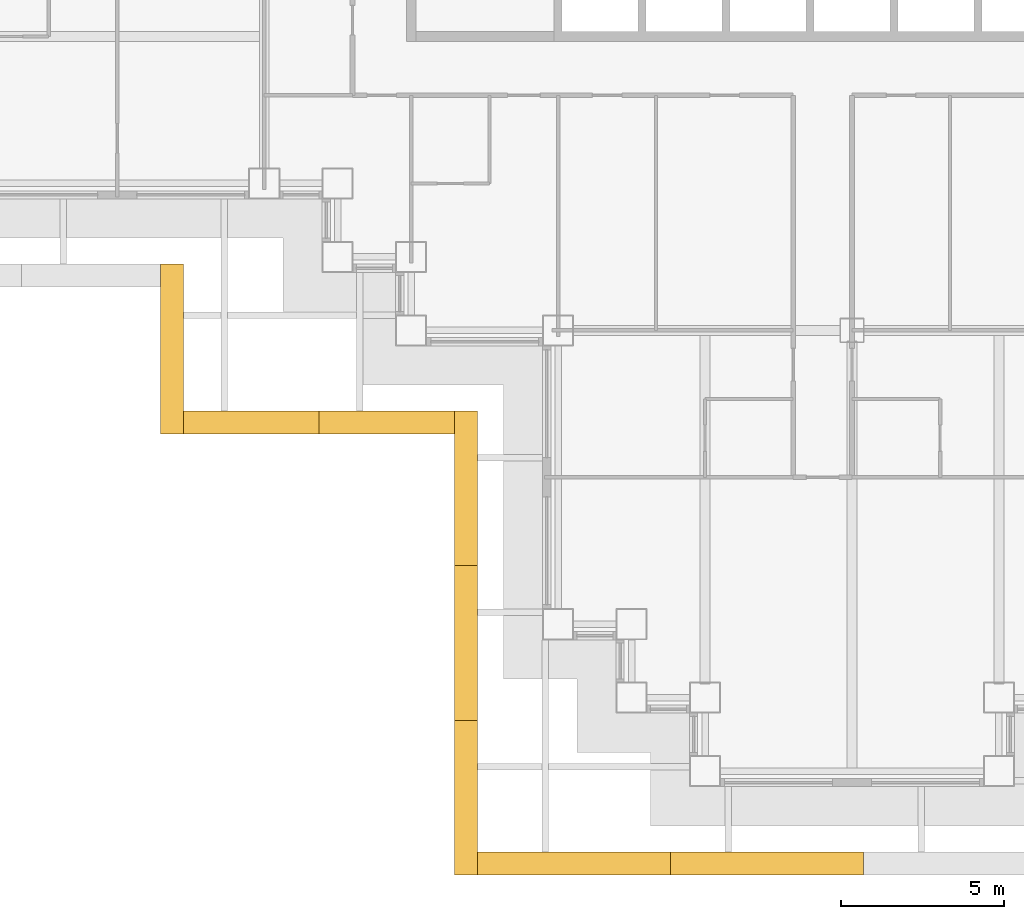
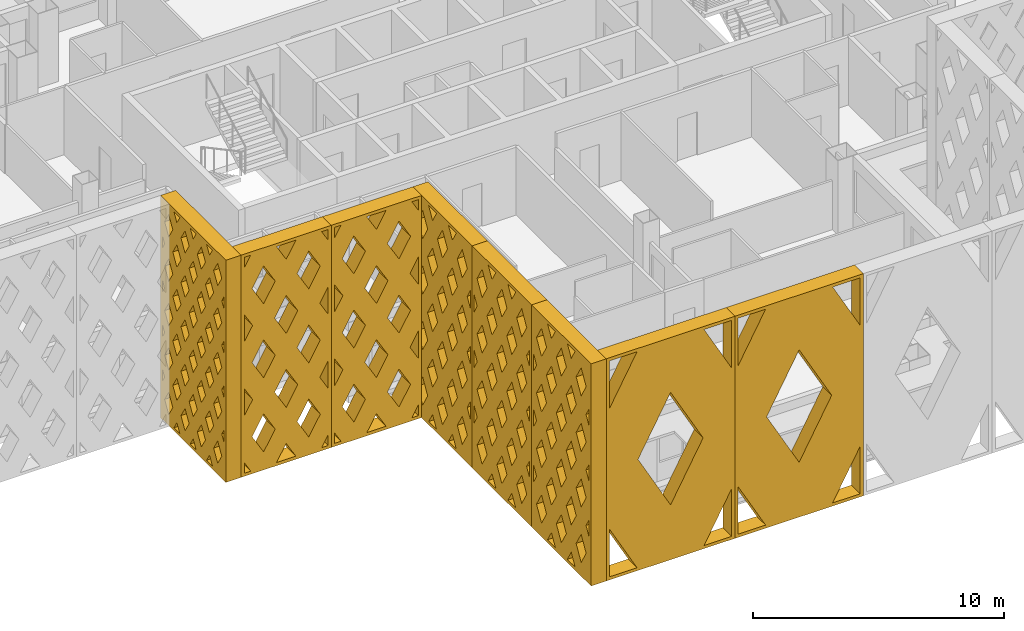
# One storey, part 13 of 19: 8 shading devices.
"""IFC4 building model written with IfcOpenShell, lengths in metres."""

from ifc_helpers import new_model, si_unit, direction, frame, origin, place, context, subcontext, project, spatial, polyline, outline, extrude, material, type_object, element, save


model = new_model("IFC4")

# Units and contexts
model_context = context("Model", 3, precision=1e-05, world=origin(), true_north=direction((0.0, 1.0)))
body_context = subcontext(model_context, "Body", "Model", "MODEL_VIEW")
ifc_project = project(units=[si_unit("LENGTHUNIT", "METRE"), si_unit("AREAUNIT", "SQUARE_METRE"), si_unit("VOLUMEUNIT", "CUBIC_METRE"), si_unit("PLANEANGLEUNIT", "RADIAN"), si_unit("MASSUNIT", "GRAM", prefix="KILO")], contexts=[model_context])

# Site, building, storey
site_placement = place(None, origin())
site = spatial("IfcSite", under=ifc_project, at=site_placement, CompositionType="ELEMENT")
building_placement = place(site_placement, origin())
building = spatial("IfcBuilding", under=site, at=building_placement, Name="Caravel Reach Hotel and Residences", CompositionType="ELEMENT")
storey_placement = place(building_placement, frame((0.0, 0.0, 85.199951171875)))
storey = spatial("IfcBuildingStorey", under=building, at=storey_placement, Name="L20", CompositionType="ELEMENT", Elevation=85.199951171875)

# Shading devices
ifc_material_1 = material(Name="Black powder-coated aluminium", Category="aluminium")
shading_device_type_1 = type_object("IfcShadingDeviceType", Name="Diamond lattice screen panel 4150 x 10800", PredefinedType="USERDEFINED", material=ifc_material_1)
shading_device_1_placement = place(storey_placement, frame((11.02490234375, 11.02490234375, 0.0), z_axis=(0.0, -1.0, 0.0), x_axis=(1.0, 0.0, 0.0)))
element("IfcShadingDevice", 1, at=shading_device_1_placement, inside=storey, type_object=shading_device_type_1, Name="Lattice screen L20-L22 20.1", ObjectType="SCREEN", PredefinedType="USERDEFINED", context=body_context, shape_type="SweptSolid", body=[
    extrude(outline(polyline([(0.0, 0.0), (4.14990234375, 0.0), (4.14990234375, 10.800048828125), (0.0, 10.800048828125), (0.0, 0.0)]), holes=[polyline([(0.445556640625, 0.14990234375), (0.14990234375, 0.662841796875), (0.14990234375, 0.14990234375), (0.445556640625, 0.14990234375)]), polyline([(0.531982421875, 3.60009765625), (0.14990234375, 4.2626953125), (0.14990234375, 2.937255859375), (0.531982421875, 3.60009765625)]), polyline([(0.531982421875, 7.199951171875), (0.14990234375, 7.86279296875), (0.14990234375, 6.537353515625), (0.531982421875, 7.199951171875)]), polyline([(0.14990234375, 10.13720703125), (0.445556640625, 10.64990234375), (0.14990234375, 10.64990234375), (0.14990234375, 10.13720703125)]), polyline([(1.03759765625, 2.722900390625), (0.505615234375, 1.800048828125), (1.03759765625, 0.876953125), (1.569580078125, 1.800048828125), (1.03759765625, 2.722900390625)]), polyline([(1.03759765625, 6.322998046875), (0.505615234375, 5.39990234375), (1.03759765625, 4.47705078125), (1.569580078125, 5.39990234375), (1.03759765625, 6.322998046875)]), polyline([(1.03759765625, 9.9228515625), (0.505615234375, 9.0), (1.03759765625, 8.0771484375), (1.569580078125, 9.0), (1.03759765625, 9.9228515625)]), polyline([(2.074951171875, 0.9228515625), (1.62939453125, 0.14990234375), (2.5205078125, 0.14990234375), (2.074951171875, 0.9228515625)]), polyline([(2.074951171875, 4.52294921875), (1.54296875, 3.60009765625), (2.074951171875, 2.677001953125), (2.60693359375, 3.60009765625), (2.074951171875, 4.52294921875)]), polyline([(2.074951171875, 8.123046875), (1.54296875, 7.199951171875), (2.074951171875, 6.277099609375), (2.60693359375, 7.199951171875), (2.074951171875, 8.123046875)]), polyline([(2.074951171875, 9.876953125), (2.5205078125, 10.64990234375), (1.62939453125, 10.64990234375), (2.074951171875, 9.876953125)]), polyline([(3.112548828125, 2.722900390625), (2.58056640625, 1.800048828125), (3.112548828125, 0.876953125), (3.64453125, 1.800048828125), (3.112548828125, 2.722900390625)]), polyline([(3.112548828125, 6.322998046875), (2.58056640625, 5.39990234375), (3.112548828125, 4.47705078125), (3.64453125, 5.39990234375), (3.112548828125, 6.322998046875)]), polyline([(3.112548828125, 9.9228515625), (2.58056640625, 9.0), (3.112548828125, 8.0771484375), (3.64453125, 9.0), (3.112548828125, 9.9228515625)]), polyline([(4.0, 0.662841796875), (3.70458984375, 0.14990234375), (4.0, 0.14990234375), (4.0, 0.662841796875)]), polyline([(3.617919921875, 3.60009765625), (4.0, 2.937255859375), (4.0, 4.2626953125), (3.617919921875, 3.60009765625)]), polyline([(3.617919921875, 7.199951171875), (4.0, 6.537353515625), (4.0, 7.86279296875), (3.617919921875, 7.199951171875)]), polyline([(3.70458984375, 10.64990234375), (4.0, 10.13720703125), (4.0, 10.64990234375), (3.70458984375, 10.64990234375)])]), origin(), (0.0, 0.0, 1.0), 0.699951171875),
])
shading_device_2_placement = place(storey_placement, frame((15.175048828125, 11.02490234375, 0.0), z_axis=(0.0, -1.0, 0.0), x_axis=(1.0, 0.0, 0.0)))
element("IfcShadingDevice", 2, at=shading_device_2_placement, inside=storey, type_object=shading_device_type_1, Name="Lattice screen L20-L22 20.2", ObjectType="SCREEN", PredefinedType="USERDEFINED", context=body_context, shape_type="SweptSolid", body=[
    extrude(outline(polyline([(0.0, 0.0), (4.14990234375, 0.0), (4.14990234375, 10.800048828125), (0.0, 10.800048828125), (0.0, 0.0)]), holes=[polyline([(0.445556640625, 0.14990234375), (0.14990234375, 0.662841796875), (0.14990234375, 0.14990234375), (0.445556640625, 0.14990234375)]), polyline([(0.531982421875, 3.60009765625), (0.14990234375, 4.2626953125), (0.14990234375, 2.937255859375), (0.531982421875, 3.60009765625)]), polyline([(0.531982421875, 7.199951171875), (0.14990234375, 7.86279296875), (0.14990234375, 6.537353515625), (0.531982421875, 7.199951171875)]), polyline([(0.14990234375, 10.13720703125), (0.445556640625, 10.64990234375), (0.14990234375, 10.64990234375), (0.14990234375, 10.13720703125)]), polyline([(1.03759765625, 2.722900390625), (0.505615234375, 1.800048828125), (1.03759765625, 0.876953125), (1.569580078125, 1.800048828125), (1.03759765625, 2.722900390625)]), polyline([(1.03759765625, 6.322998046875), (0.505615234375, 5.39990234375), (1.03759765625, 4.47705078125), (1.569580078125, 5.39990234375), (1.03759765625, 6.322998046875)]), polyline([(1.03759765625, 9.9228515625), (0.505615234375, 9.0), (1.03759765625, 8.0771484375), (1.569580078125, 9.0), (1.03759765625, 9.9228515625)]), polyline([(2.074951171875, 0.9228515625), (1.62939453125, 0.14990234375), (2.5205078125, 0.14990234375), (2.074951171875, 0.9228515625)]), polyline([(2.074951171875, 4.52294921875), (1.54296875, 3.60009765625), (2.074951171875, 2.677001953125), (2.60693359375, 3.60009765625), (2.074951171875, 4.52294921875)]), polyline([(2.074951171875, 8.123046875), (1.54296875, 7.199951171875), (2.074951171875, 6.277099609375), (2.60693359375, 7.199951171875), (2.074951171875, 8.123046875)]), polyline([(2.074951171875, 9.876953125), (2.5205078125, 10.64990234375), (1.62939453125, 10.64990234375), (2.074951171875, 9.876953125)]), polyline([(3.112548828125, 2.722900390625), (2.58056640625, 1.800048828125), (3.112548828125, 0.876953125), (3.64453125, 1.800048828125), (3.112548828125, 2.722900390625)]), polyline([(3.112548828125, 6.322998046875), (2.58056640625, 5.39990234375), (3.112548828125, 4.47705078125), (3.64453125, 5.39990234375), (3.112548828125, 6.322998046875)]), polyline([(3.112548828125, 9.9228515625), (2.58056640625, 9.0), (3.112548828125, 8.0771484375), (3.64453125, 9.0), (3.112548828125, 9.9228515625)]), polyline([(4.0, 0.662841796875), (3.70458984375, 0.14990234375), (4.0, 0.14990234375), (4.0, 0.662841796875)]), polyline([(3.617919921875, 3.60009765625), (4.0, 2.937255859375), (4.0, 4.2626953125), (3.617919921875, 3.60009765625)]), polyline([(3.617919921875, 7.199951171875), (4.0, 6.537353515625), (4.0, 7.86279296875), (3.617919921875, 7.199951171875)]), polyline([(3.70458984375, 10.64990234375), (4.0, 10.13720703125), (4.0, 10.64990234375), (3.70458984375, 10.64990234375)])]), origin(), (0.0, 0.0, 1.0), 0.699951171875),
])
ifc_material_2 = material(Name="Black powder-coated aluminium", Category="aluminium")
shading_device_type_2 = type_object("IfcShadingDeviceType", Name="Diamond lattice screen panel 4733 x 10800", PredefinedType="USERDEFINED", material=ifc_material_2)
shading_device_3_placement = place(storey_placement, frame((20.02490234375, 11.02490234375, 0.0), z_axis=(-1.0, 0.0, 0.0), x_axis=(0.0, -1.0, 0.0)))
element("IfcShadingDevice", 3, at=shading_device_3_placement, inside=storey, type_object=shading_device_type_2, Name="Lattice screen L20-L22 1.1", ObjectType="SCREEN", PredefinedType="USERDEFINED", context=body_context, shape_type="SweptSolid", body=[
    extrude(outline(polyline([(0.0, 0.0), (4.7333984375, 0.0), (4.7333984375, 10.800048828125), (0.0, 10.800048828125), (0.0, 0.0)]), holes=[polyline([(0.4013671875, 2.699951171875), (0.14990234375, 3.130126953125), (0.14990234375, 2.269775390625), (0.4013671875, 2.699951171875)]), polyline([(0.4013671875, 5.39990234375), (0.14990234375, 5.830078125), (0.14990234375, 4.969970703125), (0.4013671875, 5.39990234375)]), polyline([(0.4013671875, 8.10009765625), (0.14990234375, 8.530029296875), (0.14990234375, 7.669921875), (0.4013671875, 8.10009765625)]), polyline([(0.788818359375, 2.036865234375), (0.387451171875, 1.35009765625), (0.788818359375, 0.6630859375), (1.190185546875, 1.35009765625), (0.788818359375, 2.036865234375)]), polyline([(0.788818359375, 4.73681640625), (0.387451171875, 4.050048828125), (0.788818359375, 3.36328125), (1.190185546875, 4.050048828125), (0.788818359375, 4.73681640625)]), polyline([(0.788818359375, 7.436767578125), (0.387451171875, 6.75), (0.788818359375, 6.063232421875), (1.190185546875, 6.75), (0.788818359375, 7.436767578125)]), polyline([(0.788818359375, 10.13671875), (0.387451171875, 9.449951171875), (0.788818359375, 8.76318359375), (1.190185546875, 9.449951171875), (0.788818359375, 10.13671875)]), polyline([(1.577880859375, 0.686767578125), (1.26416015625, 0.14990234375), (1.8916015625, 0.14990234375), (1.577880859375, 0.686767578125)]), polyline([(1.577880859375, 3.38671875), (1.176513671875, 2.699951171875), (1.577880859375, 2.01318359375), (1.979248046875, 2.699951171875), (1.577880859375, 3.38671875)]), polyline([(1.577880859375, 6.0869140625), (1.176513671875, 5.39990234375), (1.577880859375, 4.713134765625), (1.979248046875, 5.39990234375), (1.577880859375, 6.0869140625)]), polyline([(1.577880859375, 8.786865234375), (1.176513671875, 8.10009765625), (1.577880859375, 7.4130859375), (1.979248046875, 8.10009765625), (1.577880859375, 8.786865234375)]), polyline([(1.577880859375, 10.11328125), (1.8916015625, 10.64990234375), (1.26416015625, 10.64990234375), (1.577880859375, 10.11328125)]), polyline([(2.36669921875, 2.036865234375), (1.96533203125, 1.35009765625), (2.36669921875, 0.6630859375), (2.76806640625, 1.35009765625), (2.36669921875, 2.036865234375)]), polyline([(2.36669921875, 4.73681640625), (1.96533203125, 4.050048828125), (2.36669921875, 3.36328125), (2.76806640625, 4.050048828125), (2.36669921875, 4.73681640625)]), polyline([(2.36669921875, 7.436767578125), (1.96533203125, 6.75), (2.36669921875, 6.063232421875), (2.76806640625, 6.75), (2.36669921875, 7.436767578125)]), polyline([(2.36669921875, 10.13671875), (1.96533203125, 9.449951171875), (2.36669921875, 8.76318359375), (2.76806640625, 9.449951171875), (2.36669921875, 10.13671875)]), polyline([(3.155517578125, 0.686767578125), (2.841796875, 0.14990234375), (3.46923828125, 0.14990234375), (3.155517578125, 0.686767578125)]), polyline([(3.155517578125, 3.38671875), (2.754150390625, 2.699951171875), (3.155517578125, 2.01318359375), (3.556884765625, 2.699951171875), (3.155517578125, 3.38671875)]), polyline([(3.155517578125, 6.0869140625), (2.754150390625, 5.39990234375), (3.155517578125, 4.713134765625), (3.556884765625, 5.39990234375), (3.155517578125, 6.0869140625)]), polyline([(3.155517578125, 8.786865234375), (2.754150390625, 8.10009765625), (3.155517578125, 7.4130859375), (3.556884765625, 8.10009765625), (3.155517578125, 8.786865234375)]), polyline([(3.155517578125, 10.11328125), (3.46923828125, 10.64990234375), (2.841796875, 10.64990234375), (3.155517578125, 10.11328125)]), polyline([(3.9443359375, 2.036865234375), (3.54296875, 1.35009765625), (3.9443359375, 0.6630859375), (4.345703125, 1.35009765625), (3.9443359375, 2.036865234375)]), polyline([(3.9443359375, 4.73681640625), (3.54296875, 4.050048828125), (3.9443359375, 3.36328125), (4.345703125, 4.050048828125), (3.9443359375, 4.73681640625)]), polyline([(3.9443359375, 7.436767578125), (3.54296875, 6.75), (3.9443359375, 6.063232421875), (4.345703125, 6.75), (3.9443359375, 7.436767578125)]), polyline([(3.9443359375, 10.13671875), (3.54296875, 9.449951171875), (3.9443359375, 8.76318359375), (4.345703125, 9.449951171875), (3.9443359375, 10.13671875)]), polyline([(4.33203125, 2.699951171875), (4.583251953125, 2.269775390625), (4.583251953125, 3.130126953125), (4.33203125, 2.699951171875)]), polyline([(4.33203125, 5.39990234375), (4.583251953125, 4.969970703125), (4.583251953125, 5.830078125), (4.33203125, 5.39990234375)]), polyline([(4.33203125, 8.10009765625), (4.583251953125, 7.669921875), (4.583251953125, 8.530029296875), (4.33203125, 8.10009765625)])]), origin(), (0.0, 0.0, 1.0), 0.699951171875),
])
shading_device_4_placement = place(storey_placement, frame((20.02490234375, 6.291748046875, 0.0), z_axis=(-1.0, 0.0, 0.0), x_axis=(0.0, -1.0, 0.0)))
element("IfcShadingDevice", 4, at=shading_device_4_placement, inside=storey, type_object=shading_device_type_2, Name="Lattice screen L20-L22 1.2", ObjectType="SCREEN", PredefinedType="USERDEFINED", context=body_context, shape_type="SweptSolid", body=[
    extrude(outline(polyline([(0.0, 0.0), (4.7333984375, 0.0), (4.7333984375, 10.800048828125), (0.0, 10.800048828125), (0.0, 0.0)]), holes=[polyline([(0.4013671875, 2.699951171875), (0.14990234375, 3.130126953125), (0.14990234375, 2.269775390625), (0.4013671875, 2.699951171875)]), polyline([(0.4013671875, 5.39990234375), (0.14990234375, 5.830078125), (0.14990234375, 4.969970703125), (0.4013671875, 5.39990234375)]), polyline([(0.4013671875, 8.10009765625), (0.14990234375, 8.530029296875), (0.14990234375, 7.669921875), (0.4013671875, 8.10009765625)]), polyline([(0.788818359375, 2.036865234375), (0.387451171875, 1.35009765625), (0.788818359375, 0.6630859375), (1.190185546875, 1.35009765625), (0.788818359375, 2.036865234375)]), polyline([(0.788818359375, 4.73681640625), (0.387451171875, 4.050048828125), (0.788818359375, 3.36328125), (1.190185546875, 4.050048828125), (0.788818359375, 4.73681640625)]), polyline([(0.788818359375, 7.436767578125), (0.387451171875, 6.75), (0.788818359375, 6.063232421875), (1.190185546875, 6.75), (0.788818359375, 7.436767578125)]), polyline([(0.788818359375, 10.13671875), (0.387451171875, 9.449951171875), (0.788818359375, 8.76318359375), (1.190185546875, 9.449951171875), (0.788818359375, 10.13671875)]), polyline([(1.577880859375, 0.686767578125), (1.26416015625, 0.14990234375), (1.8916015625, 0.14990234375), (1.577880859375, 0.686767578125)]), polyline([(1.577880859375, 3.38671875), (1.176513671875, 2.699951171875), (1.577880859375, 2.01318359375), (1.979248046875, 2.699951171875), (1.577880859375, 3.38671875)]), polyline([(1.577880859375, 6.0869140625), (1.176513671875, 5.39990234375), (1.577880859375, 4.713134765625), (1.979248046875, 5.39990234375), (1.577880859375, 6.0869140625)]), polyline([(1.577880859375, 8.786865234375), (1.176513671875, 8.10009765625), (1.577880859375, 7.4130859375), (1.979248046875, 8.10009765625), (1.577880859375, 8.786865234375)]), polyline([(1.577880859375, 10.11328125), (1.8916015625, 10.64990234375), (1.26416015625, 10.64990234375), (1.577880859375, 10.11328125)]), polyline([(2.36669921875, 2.036865234375), (1.96533203125, 1.35009765625), (2.36669921875, 0.6630859375), (2.76806640625, 1.35009765625), (2.36669921875, 2.036865234375)]), polyline([(2.36669921875, 4.73681640625), (1.96533203125, 4.050048828125), (2.36669921875, 3.36328125), (2.76806640625, 4.050048828125), (2.36669921875, 4.73681640625)]), polyline([(2.36669921875, 7.436767578125), (1.96533203125, 6.75), (2.36669921875, 6.063232421875), (2.76806640625, 6.75), (2.36669921875, 7.436767578125)]), polyline([(2.36669921875, 10.13671875), (1.96533203125, 9.449951171875), (2.36669921875, 8.76318359375), (2.76806640625, 9.449951171875), (2.36669921875, 10.13671875)]), polyline([(3.155517578125, 0.686767578125), (2.841796875, 0.14990234375), (3.46923828125, 0.14990234375), (3.155517578125, 0.686767578125)]), polyline([(3.155517578125, 3.38671875), (2.754150390625, 2.699951171875), (3.155517578125, 2.01318359375), (3.556884765625, 2.699951171875), (3.155517578125, 3.38671875)]), polyline([(3.155517578125, 6.0869140625), (2.754150390625, 5.39990234375), (3.155517578125, 4.713134765625), (3.556884765625, 5.39990234375), (3.155517578125, 6.0869140625)]), polyline([(3.155517578125, 8.786865234375), (2.754150390625, 8.10009765625), (3.155517578125, 7.4130859375), (3.556884765625, 8.10009765625), (3.155517578125, 8.786865234375)]), polyline([(3.155517578125, 10.11328125), (3.46923828125, 10.64990234375), (2.841796875, 10.64990234375), (3.155517578125, 10.11328125)]), polyline([(3.9443359375, 2.036865234375), (3.54296875, 1.35009765625), (3.9443359375, 0.6630859375), (4.345703125, 1.35009765625), (3.9443359375, 2.036865234375)]), polyline([(3.9443359375, 4.73681640625), (3.54296875, 4.050048828125), (3.9443359375, 3.36328125), (4.345703125, 4.050048828125), (3.9443359375, 4.73681640625)]), polyline([(3.9443359375, 7.436767578125), (3.54296875, 6.75), (3.9443359375, 6.063232421875), (4.345703125, 6.75), (3.9443359375, 7.436767578125)]), polyline([(3.9443359375, 10.13671875), (3.54296875, 9.449951171875), (3.9443359375, 8.76318359375), (4.345703125, 9.449951171875), (3.9443359375, 10.13671875)]), polyline([(4.33203125, 2.699951171875), (4.583251953125, 2.269775390625), (4.583251953125, 3.130126953125), (4.33203125, 2.699951171875)]), polyline([(4.33203125, 5.39990234375), (4.583251953125, 4.969970703125), (4.583251953125, 5.830078125), (4.33203125, 5.39990234375)]), polyline([(4.33203125, 8.10009765625), (4.583251953125, 7.669921875), (4.583251953125, 8.530029296875), (4.33203125, 8.10009765625)])]), origin(), (0.0, 0.0, 1.0), 0.699951171875),
])
shading_device_5_placement = place(storey_placement, frame((20.02490234375, 1.558349609375, 0.0), z_axis=(-1.0, 0.0, 0.0), x_axis=(0.0, -1.0, 0.0)))
element("IfcShadingDevice", 5, at=shading_device_5_placement, inside=storey, type_object=shading_device_type_2, Name="Lattice screen L20-L22 1.3", ObjectType="SCREEN", PredefinedType="USERDEFINED", context=body_context, shape_type="SweptSolid", body=[
    extrude(outline(polyline([(0.0, 0.0), (4.7333984375, 0.0), (4.7333984375, 10.800048828125), (0.0, 10.800048828125), (0.0, 0.0)]), holes=[polyline([(0.4013671875, 2.699951171875), (0.14990234375, 3.130126953125), (0.14990234375, 2.269775390625), (0.4013671875, 2.699951171875)]), polyline([(0.4013671875, 5.39990234375), (0.14990234375, 5.830078125), (0.14990234375, 4.969970703125), (0.4013671875, 5.39990234375)]), polyline([(0.4013671875, 8.10009765625), (0.14990234375, 8.530029296875), (0.14990234375, 7.669921875), (0.4013671875, 8.10009765625)]), polyline([(0.788818359375, 2.036865234375), (0.387451171875, 1.35009765625), (0.788818359375, 0.6630859375), (1.190185546875, 1.35009765625), (0.788818359375, 2.036865234375)]), polyline([(0.788818359375, 4.73681640625), (0.387451171875, 4.050048828125), (0.788818359375, 3.36328125), (1.190185546875, 4.050048828125), (0.788818359375, 4.73681640625)]), polyline([(0.788818359375, 7.436767578125), (0.387451171875, 6.75), (0.788818359375, 6.063232421875), (1.190185546875, 6.75), (0.788818359375, 7.436767578125)]), polyline([(0.788818359375, 10.13671875), (0.387451171875, 9.449951171875), (0.788818359375, 8.76318359375), (1.190185546875, 9.449951171875), (0.788818359375, 10.13671875)]), polyline([(1.577880859375, 0.686767578125), (1.26416015625, 0.14990234375), (1.8916015625, 0.14990234375), (1.577880859375, 0.686767578125)]), polyline([(1.577880859375, 3.38671875), (1.176513671875, 2.699951171875), (1.577880859375, 2.01318359375), (1.979248046875, 2.699951171875), (1.577880859375, 3.38671875)]), polyline([(1.577880859375, 6.0869140625), (1.176513671875, 5.39990234375), (1.577880859375, 4.713134765625), (1.979248046875, 5.39990234375), (1.577880859375, 6.0869140625)]), polyline([(1.577880859375, 8.786865234375), (1.176513671875, 8.10009765625), (1.577880859375, 7.4130859375), (1.979248046875, 8.10009765625), (1.577880859375, 8.786865234375)]), polyline([(1.577880859375, 10.11328125), (1.8916015625, 10.64990234375), (1.26416015625, 10.64990234375), (1.577880859375, 10.11328125)]), polyline([(2.36669921875, 2.036865234375), (1.96533203125, 1.35009765625), (2.36669921875, 0.6630859375), (2.76806640625, 1.35009765625), (2.36669921875, 2.036865234375)]), polyline([(2.36669921875, 4.73681640625), (1.96533203125, 4.050048828125), (2.36669921875, 3.36328125), (2.76806640625, 4.050048828125), (2.36669921875, 4.73681640625)]), polyline([(2.36669921875, 7.436767578125), (1.96533203125, 6.75), (2.36669921875, 6.063232421875), (2.76806640625, 6.75), (2.36669921875, 7.436767578125)]), polyline([(2.36669921875, 10.13671875), (1.96533203125, 9.449951171875), (2.36669921875, 8.76318359375), (2.76806640625, 9.449951171875), (2.36669921875, 10.13671875)]), polyline([(3.155517578125, 0.686767578125), (2.841796875, 0.14990234375), (3.46923828125, 0.14990234375), (3.155517578125, 0.686767578125)]), polyline([(3.155517578125, 3.38671875), (2.754150390625, 2.699951171875), (3.155517578125, 2.01318359375), (3.556884765625, 2.699951171875), (3.155517578125, 3.38671875)]), polyline([(3.155517578125, 6.0869140625), (2.754150390625, 5.39990234375), (3.155517578125, 4.713134765625), (3.556884765625, 5.39990234375), (3.155517578125, 6.0869140625)]), polyline([(3.155517578125, 8.786865234375), (2.754150390625, 8.10009765625), (3.155517578125, 7.4130859375), (3.556884765625, 8.10009765625), (3.155517578125, 8.786865234375)]), polyline([(3.155517578125, 10.11328125), (3.46923828125, 10.64990234375), (2.841796875, 10.64990234375), (3.155517578125, 10.11328125)]), polyline([(3.9443359375, 2.036865234375), (3.54296875, 1.35009765625), (3.9443359375, 0.6630859375), (4.345703125, 1.35009765625), (3.9443359375, 2.036865234375)]), polyline([(3.9443359375, 4.73681640625), (3.54296875, 4.050048828125), (3.9443359375, 3.36328125), (4.345703125, 4.050048828125), (3.9443359375, 4.73681640625)]), polyline([(3.9443359375, 7.436767578125), (3.54296875, 6.75), (3.9443359375, 6.063232421875), (4.345703125, 6.75), (3.9443359375, 7.436767578125)]), polyline([(3.9443359375, 10.13671875), (3.54296875, 9.449951171875), (3.9443359375, 8.76318359375), (4.345703125, 9.449951171875), (3.9443359375, 10.13671875)]), polyline([(4.33203125, 2.699951171875), (4.583251953125, 2.269775390625), (4.583251953125, 3.130126953125), (4.33203125, 2.699951171875)]), polyline([(4.33203125, 5.39990234375), (4.583251953125, 4.969970703125), (4.583251953125, 5.830078125), (4.33203125, 5.39990234375)]), polyline([(4.33203125, 8.10009765625), (4.583251953125, 7.669921875), (4.583251953125, 8.530029296875), (4.33203125, 8.10009765625)])]), origin(), (0.0, 0.0, 1.0), 0.699951171875),
])
ifc_material_3 = material(Name="Black powder-coated aluminium", Category="aluminium")
shading_device_type_3 = type_object("IfcShadingDeviceType", Name="Diamond lattice screen panel 5200 x 10800", PredefinedType="USERDEFINED", material=ifc_material_3)
shading_device_6_placement = place(storey_placement, frame((11.02490234375, 15.52490234375, 0.0), z_axis=(-1.0, 0.0, 0.0), x_axis=(0.0, -1.0, 0.0)))
element("IfcShadingDevice", 6, at=shading_device_6_placement, inside=storey, type_object=shading_device_type_3, Name="Lattice screen L20-L22 19.1", ObjectType="SCREEN", PredefinedType="USERDEFINED", context=body_context, shape_type="SweptSolid", body=[
    extrude(outline(polyline([(0.0, 0.0), (5.199951171875, 0.0), (5.199951171875, 10.800048828125), (0.0, 10.800048828125), (0.0, 0.0)]), holes=[polyline([(0.3271484375, 2.159912109375), (0.14990234375, 2.454345703125), (0.14990234375, 1.86572265625), (0.3271484375, 2.159912109375)]), polyline([(0.3271484375, 4.320068359375), (0.14990234375, 4.6142578125), (0.14990234375, 4.025634765625), (0.3271484375, 4.320068359375)]), polyline([(0.3271484375, 6.47998046875), (0.14990234375, 6.774169921875), (0.14990234375, 6.185791015625), (0.3271484375, 6.47998046875)]), polyline([(0.3271484375, 8.639892578125), (0.14990234375, 8.934326171875), (0.14990234375, 8.345703125), (0.3271484375, 8.639892578125)]), polyline([(0.64990234375, 1.62353515625), (0.322998046875, 1.080078125), (0.64990234375, 0.536376953125), (0.97705078125, 1.080078125), (0.64990234375, 1.62353515625)]), polyline([(0.64990234375, 3.783447265625), (0.322998046875, 3.239990234375), (0.64990234375, 2.696533203125), (0.97705078125, 3.239990234375), (0.64990234375, 3.783447265625)]), polyline([(0.64990234375, 5.943603515625), (0.322998046875, 5.39990234375), (0.64990234375, 4.8564453125), (0.97705078125, 5.39990234375), (0.64990234375, 5.943603515625)]), polyline([(0.64990234375, 8.103515625), (0.322998046875, 7.56005859375), (0.64990234375, 7.016357421875), (0.97705078125, 7.56005859375), (0.64990234375, 8.103515625)]), polyline([(0.64990234375, 10.263427734375), (0.322998046875, 9.719970703125), (0.64990234375, 9.176513671875), (0.97705078125, 9.719970703125), (0.64990234375, 10.263427734375)]), polyline([(1.300048828125, 0.54345703125), (1.063232421875, 0.14990234375), (1.536865234375, 0.14990234375), (1.300048828125, 0.54345703125)]), polyline([(1.300048828125, 2.70361328125), (0.972900390625, 2.159912109375), (1.300048828125, 1.616455078125), (1.627197265625, 2.159912109375), (1.300048828125, 2.70361328125)]), polyline([(1.300048828125, 4.863525390625), (0.972900390625, 4.320068359375), (1.300048828125, 3.7763671875), (1.627197265625, 4.320068359375), (1.300048828125, 4.863525390625)]), polyline([(1.300048828125, 7.0234375), (0.972900390625, 6.47998046875), (1.300048828125, 5.9365234375), (1.627197265625, 6.47998046875), (1.300048828125, 7.0234375)]), polyline([(1.300048828125, 9.18359375), (0.972900390625, 8.639892578125), (1.300048828125, 8.096435546875), (1.627197265625, 8.639892578125), (1.300048828125, 9.18359375)]), polyline([(1.300048828125, 10.256591796875), (1.536865234375, 10.64990234375), (1.063232421875, 10.64990234375), (1.300048828125, 10.256591796875)]), polyline([(1.949951171875, 1.62353515625), (1.622802734375, 1.080078125), (1.949951171875, 0.536376953125), (2.277099609375, 1.080078125), (1.949951171875, 1.62353515625)]), polyline([(1.949951171875, 3.783447265625), (1.622802734375, 3.239990234375), (1.949951171875, 2.696533203125), (2.277099609375, 3.239990234375), (1.949951171875, 3.783447265625)]), polyline([(1.949951171875, 5.943603515625), (1.622802734375, 5.39990234375), (1.949951171875, 4.8564453125), (2.277099609375, 5.39990234375), (1.949951171875, 5.943603515625)]), polyline([(1.949951171875, 8.103515625), (1.622802734375, 7.56005859375), (1.949951171875, 7.016357421875), (2.277099609375, 7.56005859375), (1.949951171875, 8.103515625)]), polyline([(1.949951171875, 10.263427734375), (1.622802734375, 9.719970703125), (1.949951171875, 9.176513671875), (2.277099609375, 9.719970703125), (1.949951171875, 10.263427734375)]), polyline([(2.60009765625, 0.54345703125), (2.363037109375, 0.14990234375), (2.8369140625, 0.14990234375), (2.60009765625, 0.54345703125)]), polyline([(2.60009765625, 2.70361328125), (2.27294921875, 2.159912109375), (2.60009765625, 1.616455078125), (2.927001953125, 2.159912109375), (2.60009765625, 2.70361328125)]), polyline([(2.60009765625, 4.863525390625), (2.27294921875, 4.320068359375), (2.60009765625, 3.7763671875), (2.927001953125, 4.320068359375), (2.60009765625, 4.863525390625)]), polyline([(2.60009765625, 7.0234375), (2.27294921875, 6.47998046875), (2.60009765625, 5.9365234375), (2.927001953125, 6.47998046875), (2.60009765625, 7.0234375)]), polyline([(2.60009765625, 9.18359375), (2.27294921875, 8.639892578125), (2.60009765625, 8.096435546875), (2.927001953125, 8.639892578125), (2.60009765625, 9.18359375)]), polyline([(2.60009765625, 10.256591796875), (2.8369140625, 10.64990234375), (2.363037109375, 10.64990234375), (2.60009765625, 10.256591796875)]), polyline([(3.25, 1.62353515625), (2.9228515625, 1.080078125), (3.25, 0.536376953125), (3.5771484375, 1.080078125), (3.25, 1.62353515625)]), polyline([(3.25, 3.783447265625), (2.9228515625, 3.239990234375), (3.25, 2.696533203125), (3.5771484375, 3.239990234375), (3.25, 3.783447265625)]), polyline([(3.25, 5.943603515625), (2.9228515625, 5.39990234375), (3.25, 4.8564453125), (3.5771484375, 5.39990234375), (3.25, 5.943603515625)]), polyline([(3.25, 8.103515625), (2.9228515625, 7.56005859375), (3.25, 7.016357421875), (3.5771484375, 7.56005859375), (3.25, 8.103515625)]), polyline([(3.25, 10.263427734375), (2.9228515625, 9.719970703125), (3.25, 9.176513671875), (3.5771484375, 9.719970703125), (3.25, 10.263427734375)]), polyline([(3.89990234375, 0.54345703125), (3.6630859375, 0.14990234375), (4.136962890625, 0.14990234375), (3.89990234375, 0.54345703125)]), polyline([(3.89990234375, 2.70361328125), (3.572998046875, 2.159912109375), (3.89990234375, 1.616455078125), (4.22705078125, 2.159912109375), (3.89990234375, 2.70361328125)]), polyline([(3.89990234375, 4.863525390625), (3.572998046875, 4.320068359375), (3.89990234375, 3.7763671875), (4.22705078125, 4.320068359375), (3.89990234375, 4.863525390625)]), polyline([(3.89990234375, 7.0234375), (3.572998046875, 6.47998046875), (3.89990234375, 5.9365234375), (4.22705078125, 6.47998046875), (3.89990234375, 7.0234375)]), polyline([(3.89990234375, 9.18359375), (3.572998046875, 8.639892578125), (3.89990234375, 8.096435546875), (4.22705078125, 8.639892578125), (3.89990234375, 9.18359375)]), polyline([(3.89990234375, 10.256591796875), (4.136962890625, 10.64990234375), (3.6630859375, 10.64990234375), (3.89990234375, 10.256591796875)]), polyline([(4.550048828125, 1.62353515625), (4.222900390625, 1.080078125), (4.550048828125, 0.536376953125), (4.877197265625, 1.080078125), (4.550048828125, 1.62353515625)]), polyline([(4.550048828125, 3.783447265625), (4.222900390625, 3.239990234375), (4.550048828125, 2.696533203125), (4.877197265625, 3.239990234375), (4.550048828125, 3.783447265625)]), polyline([(4.550048828125, 5.943603515625), (4.222900390625, 5.39990234375), (4.550048828125, 4.8564453125), (4.877197265625, 5.39990234375), (4.550048828125, 5.943603515625)]), polyline([(4.550048828125, 8.103515625), (4.222900390625, 7.56005859375), (4.550048828125, 7.016357421875), (4.877197265625, 7.56005859375), (4.550048828125, 8.103515625)]), polyline([(4.550048828125, 10.263427734375), (4.222900390625, 9.719970703125), (4.550048828125, 9.176513671875), (4.877197265625, 9.719970703125), (4.550048828125, 10.263427734375)]), polyline([(4.872802734375, 2.159912109375), (5.050048828125, 1.86572265625), (5.050048828125, 2.454345703125), (4.872802734375, 2.159912109375)]), polyline([(4.872802734375, 4.320068359375), (5.050048828125, 4.025634765625), (5.050048828125, 4.6142578125), (4.872802734375, 4.320068359375)]), polyline([(4.872802734375, 6.47998046875), (5.050048828125, 6.185791015625), (5.050048828125, 6.774169921875), (4.872802734375, 6.47998046875)]), polyline([(4.872802734375, 8.639892578125), (5.050048828125, 8.345703125), (5.050048828125, 8.934326171875), (4.872802734375, 8.639892578125)])]), origin(), (0.0, 0.0, 1.0), 0.699951171875),
])
ifc_material_4 = material(Name="Black powder-coated aluminium", Category="aluminium")
shading_device_type_4 = type_object("IfcShadingDeviceType", Name="Diamond lattice screen panel 5913 x 10800", PredefinedType="USERDEFINED", material=ifc_material_4)
for number, where, z_axis, x_axis, name in (
    (7, (20.02490234375, -2.47509765625, 0.0), (0.0, -1.0, 0.0), (1.0, 0.0, 0.0), "Lattice screen L20-L22 2.1"),
    (8, (25.9375, -2.47509765625, 0.0), (0.0, -1.0, 0.0), (1.0, 0.0, 0.0), "Lattice screen L20-L22 2.2"),
):
    element("IfcShadingDevice", number, at=place(storey_placement, frame(where, z_axis=z_axis, x_axis=x_axis)), inside=storey, type_object=shading_device_type_4, Name=name, ObjectType="SCREEN", PredefinedType="USERDEFINED", context=body_context, shape_type="SweptSolid", body=[
        extrude(outline(polyline([(0.0, 0.0), (5.91259765625, 0.0), (5.91259765625, 10.800048828125), (0.0, 10.800048828125), (0.0, 0.0)]), holes=[polyline([(1.415771484375, 0.14990234375), (0.14990234375, 2.4619140625), (0.14990234375, 0.14990234375), (1.415771484375, 0.14990234375)]), polyline([(0.14990234375, 8.338134765625), (1.415771484375, 10.64990234375), (0.14990234375, 10.64990234375), (0.14990234375, 8.338134765625)]), polyline([(2.956298828125, 8.135986328125), (1.45849609375, 5.39990234375), (2.956298828125, 2.6640625), (4.4541015625, 5.39990234375), (2.956298828125, 8.135986328125)]), polyline([(5.762451171875, 2.4619140625), (4.496826171875, 0.14990234375), (5.762451171875, 0.14990234375), (5.762451171875, 2.4619140625)]), polyline([(4.496826171875, 10.64990234375), (5.762451171875, 8.338134765625), (5.762451171875, 10.64990234375), (4.496826171875, 10.64990234375)])]), origin(), (0.0, 0.0, 1.0), 0.699951171875),
    ])

save(model, "model.ifc")
